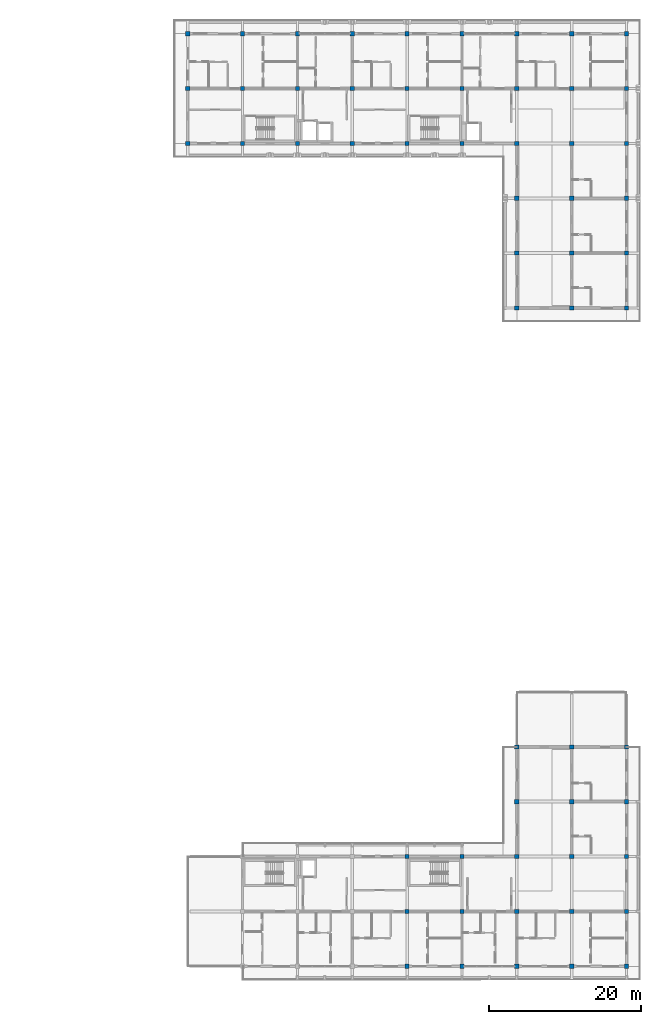
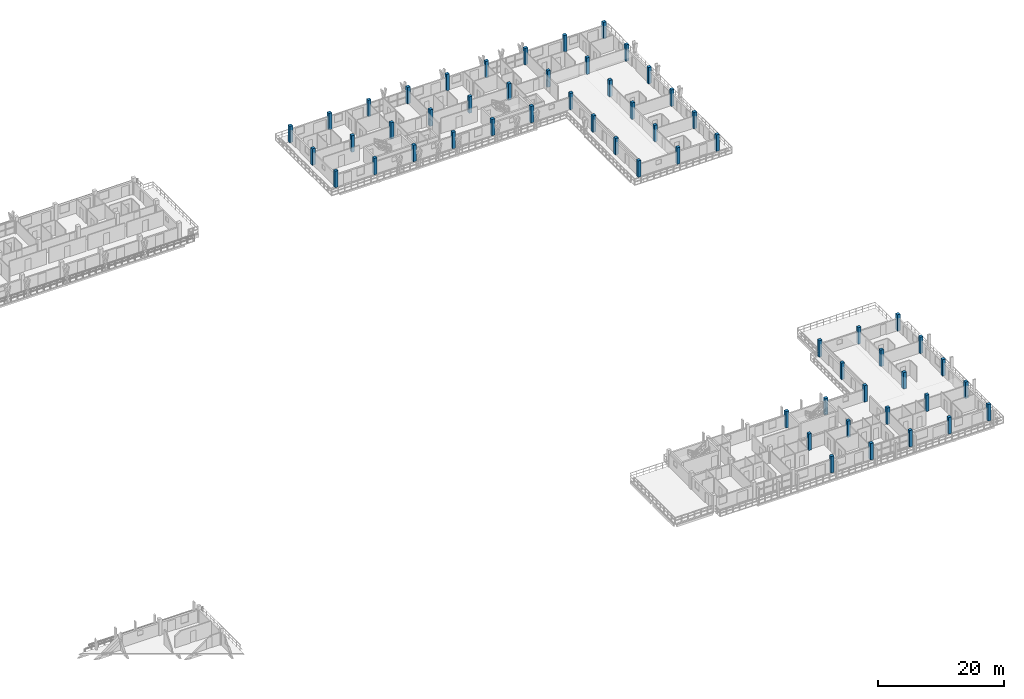
# One storey, part 2 of 65: 57 columns.
"""IFC4 building model written with IfcOpenShell, lengths in metres."""

from ifc_helpers import new_model, si_unit, direction, frame, origin, origin_2d, place, context, subcontext, project, spatial, rectangle, extrude, material, material_profile, profile_set, type_object, element, save


model = new_model("IFC4")

# Units and contexts
model_context = context("Model", 3, precision=1e-05, world=origin(), true_north=direction((0.0, 1.0)))
body_context = subcontext(model_context, "Body", "Model", "MODEL_VIEW")
ifc_project = project(units=[si_unit("LENGTHUNIT", "METRE"), si_unit("AREAUNIT", "SQUARE_METRE"), si_unit("VOLUMEUNIT", "CUBIC_METRE"), si_unit("PLANEANGLEUNIT", "RADIAN"), si_unit("MASSUNIT", "GRAM", prefix="KILO")], contexts=[model_context])

# Site, building, storey
site_placement = place(None, origin())
site = spatial("IfcSite", under=ifc_project, at=site_placement, CompositionType="ELEMENT")
building_placement = place(site_placement, origin())
building = spatial("IfcBuilding", under=site, at=building_placement, Name="Suanplinth Sawtooth Commons", CompositionType="ELEMENT")
storey_placement = place(building_placement, frame((0.0, 0.0, 28.300048828125)))
storey = spatial("IfcBuildingStorey", under=building, at=storey_placement, Name="L08", CompositionType="ELEMENT", Elevation=28.300048828125)

# Columns
ifc_material = material(Name="Precast concrete C40/50", Category="concrete")
ifc_material_profile = material_profile(ifc_material, rectangle(XDim=0.550048828125, YDim=0.550048828125, at=origin_2d()), Name="PC-COL 550x550")
ifc_profile_set = profile_set([ifc_material_profile], Name="Precast concrete C40/50")
column_type = type_object("IfcColumnType", Name="C-05", PredefinedType="COLUMN", material=ifc_profile_set)
for number, where, z_axis, x_axis, name in (
    (1, (129.60009765625, 108.0, 0.0), (0.0, 0.0, 1.0), (1.0, 0.0, 0.0), "Column L08 19/R"),
    (2, (129.60009765625, 115.199951171875, 0.0), (0.0, 0.0, 1.0), (1.0, 0.0, 0.0), "Column L08 19/S"),
    (3, (129.60009765625, 122.39990234375, 0.0), (0.0, 0.0, 1.0), (1.0, 0.0, 0.0), "Column L08 19/T"),
    (4, (136.800048828125, 108.0, 0.0), (0.0, 0.0, 1.0), (1.0, 0.0, 0.0), "Column L08 20/R"),
    (5, (136.800048828125, 115.199951171875, 0.0), (0.0, 0.0, 1.0), (1.0, 0.0, 0.0), "Column L08 20/S"),
    (6, (136.800048828125, 122.39990234375, 0.0), (0.0, 0.0, 1.0), (1.0, 0.0, 0.0), "Column L08 20/T"),
    (7, (144.0, 108.0, 0.0), (0.0, 0.0, 1.0), (1.0, 0.0, 0.0), "Column L08 21/R"),
    (8, (144.0, 115.199951171875, 0.0), (0.0, 0.0, 1.0), (1.0, 0.0, 0.0), "Column L08 21/S"),
    (9, (144.0, 122.39990234375, 0.0), (0.0, 0.0, 1.0), (1.0, 0.0, 0.0), "Column L08 21/T"),
    (10, (151.199951171875, 108.0, 0.0), (0.0, 0.0, 1.0), (1.0, 0.0, 0.0), "Column L08 22/R"),
    (11, (151.199951171875, 115.199951171875, 0.0), (0.0, 0.0, 1.0), (1.0, 0.0, 0.0), "Column L08 22/S"),
    (12, (151.199951171875, 122.39990234375, 0.0), (0.0, 0.0, 1.0), (1.0, 0.0, 0.0), "Column L08 22/T"),
    (13, (158.39990234375, 0.0, 0.0), (0.0, 0.0, 1.0), (1.0, 0.0, 0.0), "Column L08 23/A"),
    (14, (158.39990234375, 7.199951171875, 0.0), (0.0, 0.0, 1.0), (1.0, 0.0, 0.0), "Column L08 23/B"),
    (15, (158.39990234375, 14.39990234375, 0.0), (0.0, 0.0, 1.0), (1.0, 0.0, 0.0), "Column L08 23/C"),
    (16, (158.39990234375, 108.0, 0.0), (0.0, 0.0, 1.0), (1.0, 0.0, 0.0), "Column L08 23/R"),
    (17, (158.39990234375, 115.199951171875, 0.0), (0.0, 0.0, 1.0), (1.0, 0.0, 0.0), "Column L08 23/S"),
    (18, (158.39990234375, 122.39990234375, 0.0), (0.0, 0.0, 1.0), (1.0, 0.0, 0.0), "Column L08 23/T"),
    (19, (165.60009765625, 0.0, 0.0), (0.0, 0.0, 1.0), (1.0, 0.0, 0.0), "Column L08 24/A"),
    (20, (165.60009765625, 7.199951171875, 0.0), (0.0, 0.0, 1.0), (1.0, 0.0, 0.0), "Column L08 24/B"),
    (21, (165.60009765625, 14.39990234375, 0.0), (0.0, 0.0, 1.0), (1.0, 0.0, 0.0), "Column L08 24/C"),
    (22, (165.60009765625, 108.0, 0.0), (0.0, 0.0, 1.0), (1.0, 0.0, 0.0), "Column L08 24/R"),
    (23, (165.60009765625, 115.199951171875, 0.0), (0.0, 0.0, 1.0), (1.0, 0.0, 0.0), "Column L08 24/S"),
    (24, (165.60009765625, 122.39990234375, 0.0), (0.0, 0.0, 1.0), (1.0, 0.0, 0.0), "Column L08 24/T"),
    (25, (172.800048828125, 0.0, 0.0), (0.0, 0.0, 1.0), (1.0, 0.0, 0.0), "Column L08 25/A"),
    (26, (172.800048828125, 7.199951171875, 0.0), (0.0, 0.0, 1.0), (1.0, 0.0, 0.0), "Column L08 25/B"),
    (27, (172.800048828125, 14.39990234375, 0.0), (0.0, 0.0, 1.0), (1.0, 0.0, 0.0), "Column L08 25/C"),
    (28, (172.800048828125, 21.60009765625, 0.0), (0.0, 0.0, 1.0), (1.0, 0.0, 0.0), "Column L08 25/D"),
    (29, (172.800048828125, 28.800048828125, 0.0), (0.0, 0.0, 1.0), (1.0, 0.0, 0.0), "Column L08 25/E"),
    (30, (172.800048828125, 86.39990234375, 0.0), (0.0, 0.0, 1.0), (1.0, 0.0, 0.0), "Column L08 25/N"),
    (31, (172.800048828125, 93.60009765625, 0.0), (0.0, 0.0, 1.0), (1.0, 0.0, 0.0), "Column L08 25/P"),
    (32, (172.800048828125, 100.800048828125, 0.0), (0.0, 0.0, 1.0), (1.0, 0.0, 0.0), "Column L08 25/Q"),
    (33, (172.800048828125, 108.0, 0.0), (0.0, 0.0, 1.0), (1.0, 0.0, 0.0), "Column L08 25/R"),
    (34, (172.800048828125, 115.199951171875, 0.0), (0.0, 0.0, 1.0), (1.0, 0.0, 0.0), "Column L08 25/S"),
    (35, (172.800048828125, 122.39990234375, 0.0), (0.0, 0.0, 1.0), (1.0, 0.0, 0.0), "Column L08 25/T"),
    (36, (180.0, 0.0, 0.0), (0.0, 0.0, 1.0), (1.0, 0.0, 0.0), "Column L08 26/A"),
    (37, (180.0, 7.199951171875, 0.0), (0.0, 0.0, 1.0), (1.0, 0.0, 0.0), "Column L08 26/B"),
    (38, (180.0, 14.39990234375, 0.0), (0.0, 0.0, 1.0), (1.0, 0.0, 0.0), "Column L08 26/C"),
    (39, (180.0, 21.60009765625, 0.0), (0.0, 0.0, 1.0), (1.0, 0.0, 0.0), "Column L08 26/D"),
    (40, (180.0, 28.800048828125, 0.0), (0.0, 0.0, 1.0), (1.0, 0.0, 0.0), "Column L08 26/E"),
    (41, (180.0, 86.39990234375, 0.0), (0.0, 0.0, 1.0), (1.0, 0.0, 0.0), "Column L08 26/N"),
    (42, (180.0, 93.60009765625, 0.0), (0.0, 0.0, 1.0), (1.0, 0.0, 0.0), "Column L08 26/P"),
    (43, (180.0, 100.800048828125, 0.0), (0.0, 0.0, 1.0), (1.0, 0.0, 0.0), "Column L08 26/Q"),
    (44, (180.0, 108.0, 0.0), (0.0, 0.0, 1.0), (1.0, 0.0, 0.0), "Column L08 26/R"),
    (45, (180.0, 115.199951171875, 0.0), (0.0, 0.0, 1.0), (1.0, 0.0, 0.0), "Column L08 26/S"),
    (46, (180.0, 122.39990234375, 0.0), (0.0, 0.0, 1.0), (1.0, 0.0, 0.0), "Column L08 26/T"),
    (47, (187.199951171875, 0.0, 0.0), (0.0, 0.0, 1.0), (1.0, 0.0, 0.0), "Column L08 27/A"),
    (48, (187.199951171875, 7.199951171875, 0.0), (0.0, 0.0, 1.0), (1.0, 0.0, 0.0), "Column L08 27/B"),
    (49, (187.199951171875, 14.39990234375, 0.0), (0.0, 0.0, 1.0), (1.0, 0.0, 0.0), "Column L08 27/C"),
    (50, (187.199951171875, 21.60009765625, 0.0), (0.0, 0.0, 1.0), (1.0, 0.0, 0.0), "Column L08 27/D"),
    (51, (187.199951171875, 28.800048828125, 0.0), (0.0, 0.0, 1.0), (1.0, 0.0, 0.0), "Column L08 27/E"),
    (52, (187.199951171875, 86.39990234375, 0.0), (0.0, 0.0, 1.0), (1.0, 0.0, 0.0), "Column L08 27/N"),
    (53, (187.199951171875, 93.60009765625, 0.0), (0.0, 0.0, 1.0), (1.0, 0.0, 0.0), "Column L08 27/P"),
    (54, (187.199951171875, 100.800048828125, 0.0), (0.0, 0.0, 1.0), (1.0, 0.0, 0.0), "Column L08 27/Q"),
    (55, (187.199951171875, 108.0, 0.0), (0.0, 0.0, 1.0), (1.0, 0.0, 0.0), "Column L08 27/R"),
    (56, (187.199951171875, 115.199951171875, 0.0), (0.0, 0.0, 1.0), (1.0, 0.0, 0.0), "Column L08 27/S"),
    (57, (187.199951171875, 122.39990234375, 0.0), (0.0, 0.0, 1.0), (1.0, 0.0, 0.0), "Column L08 27/T"),
):
    element("IfcColumn", number, at=place(storey_placement, frame(where, z_axis=z_axis, x_axis=x_axis)), inside=storey, type_object=column_type, Name=name, PredefinedType="COLUMN", context=body_context, shape_type="SweptSolid", body=[
        extrude(rectangle(XDim=0.550048828125, YDim=0.550048828125, at=origin_2d()), origin(), (0.0, 0.0, 1.0), 3.199951171875),
    ])

save(model, "model.ifc")
